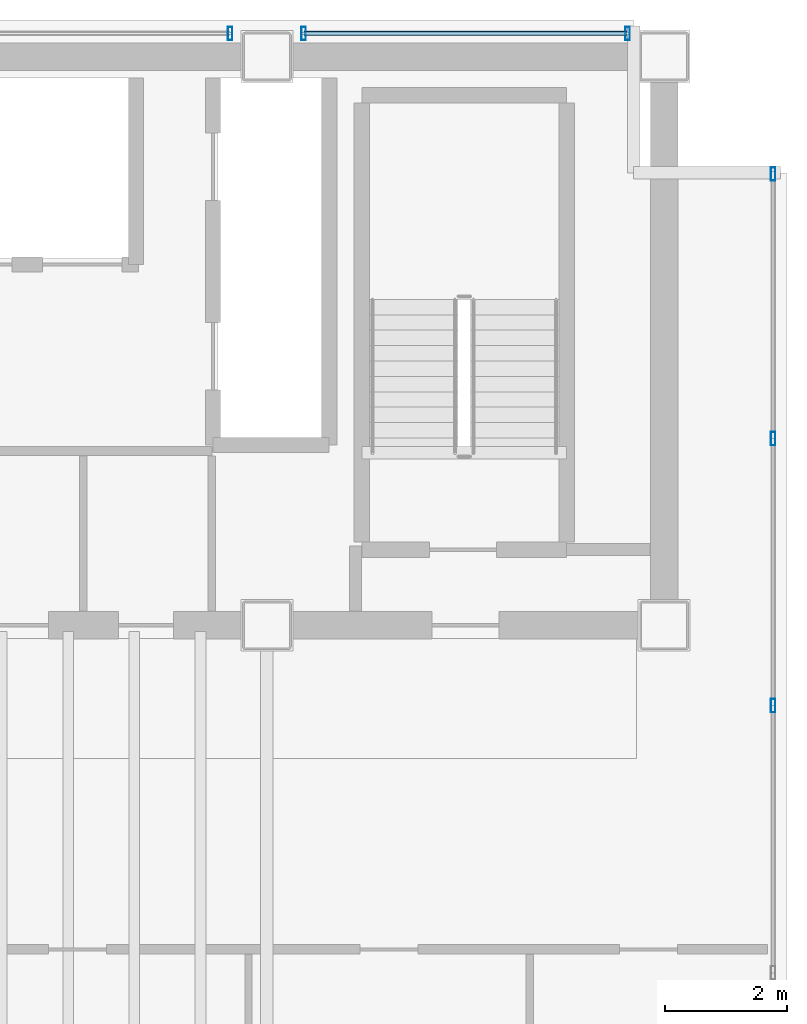
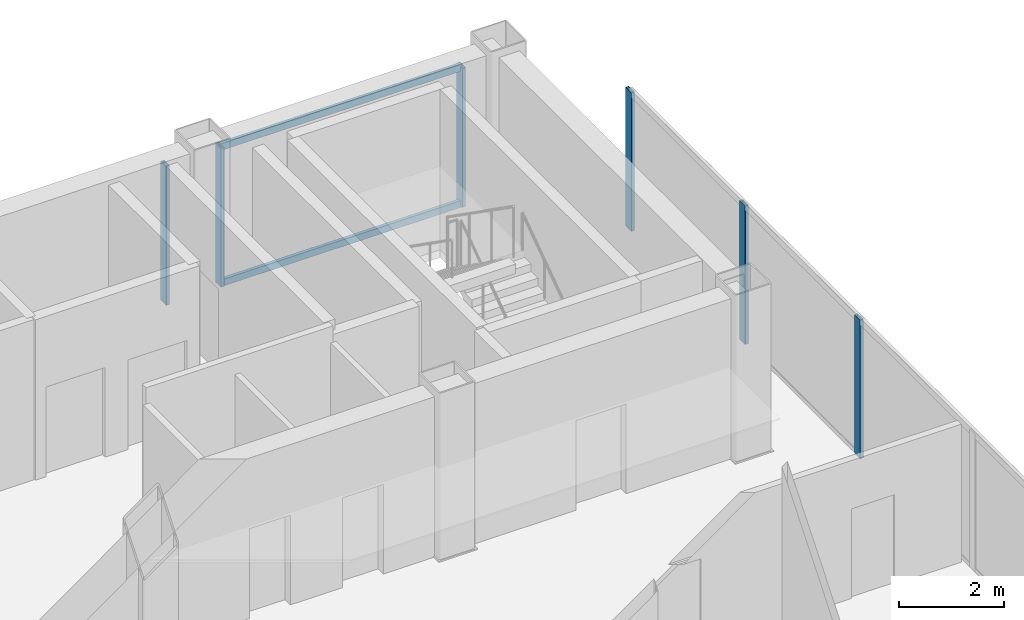
# One storey, part 12 of 17: 8 members, 3 elements without a shape of their own.
"""IFC4 building model written with IfcOpenShell, lengths in metres."""

from ifc_helpers import new_model, si_unit, direction, frame, origin, origin_2d, place, context, subcontext, project, spatial, hollow_rectangle, extrude, material, material_profile, profile_set, type_object, element, aggregate, save


model = new_model("IFC4")

# Units and contexts
model_context = context("Model", 3, precision=1e-05, world=origin(), true_north=direction((0.0, 1.0)))
body_context = subcontext(model_context, "Body", "Model", "MODEL_VIEW")
ifc_project = project(units=[si_unit("LENGTHUNIT", "METRE"), si_unit("AREAUNIT", "SQUARE_METRE"), si_unit("VOLUMEUNIT", "CUBIC_METRE"), si_unit("PLANEANGLEUNIT", "RADIAN"), si_unit("MASSUNIT", "GRAM", prefix="KILO")], contexts=[model_context])

# Site, building, storey
site_placement = place(None, origin())
site = spatial("IfcSite", under=ifc_project, at=site_placement, CompositionType="ELEMENT")
building_placement = place(site_placement, origin())
building = spatial("IfcBuilding", under=site, at=building_placement, Name="Noeulbin Bourse Tower", CompositionType="ELEMENT")
storey_placement = place(building_placement, frame((0.0, 0.0, 242.300048828125)))
storey = spatial("IfcBuildingStorey", under=building, at=storey_placement, Name="L60", CompositionType="ELEMENT", Elevation=242.300048828125)

# Curtain wall, member
ifc_material_1 = material(Name="High-Selectivity Low-Iron Glazing", Category="glass")
curtain_wall_type = type_object("IfcCurtainWallType", Name="CW-SYS-4", PredefinedType="NOTDEFINED", material=ifc_material_1)
curtain_wall_1_placement = place(storey_placement, origin())
curtain_wall_1 = element("IfcCurtainWall", 1, at=curtain_wall_1_placement, inside=storey, type_object=curtain_wall_type, Name="Unitised Curtain Wall CW-L60-N-S5", PredefinedType="NOTDEFINED")
ifc_material_2 = material(Name="Anodised Aluminium 6063-T6", Category="aluminium")
ifc_material_profile_1 = material_profile(ifc_material_2, hollow_rectangle(XDim=0.074951171875, YDim=0.219970703125, WallThickness=0.0048828125, InnerFilletRadius=0.00244140625, OuterFilletRadius=0.0048828125, at=origin_2d()), Name="ALU-MULL-75x220x5", Category="LoadBearing")
ifc_profile_set_1 = profile_set([ifc_material_profile_1], Name="Anodised Aluminium 6063-T6")
member_type_1 = type_object("IfcMemberType", Name="CW-SYS-4-MUL", PredefinedType="MULLION", material=ifc_profile_set_1)
member_1_placement = place(storey_placement, frame((36.89990234375, 38.679931640625, -0.02001953125), z_axis=(0.0, 0.0, 1.0), x_axis=(1.0, 0.0, 0.0)))
member_1 = element("IfcMember", 2, at=member_1_placement, type_object=member_type_1, Name="Curtain Wall Mullion CW-L60-N-S5-M01", PredefinedType="MULLION", context=body_context, shape_type="SweptSolid", body=[
    extrude(hollow_rectangle(XDim=0.074951171875, YDim=0.219970703125, WallThickness=0.0048828125, InnerFilletRadius=0.00244140625, OuterFilletRadius=0.0048828125, at=origin_2d()), origin(), (0.0, 0.0, 1.0), 3.219970703125),
])
aggregate(curtain_wall_1, [member_1])

# Curtain wall, members
curtain_wall_2_placement = place(storey_placement, origin())
curtain_wall_2 = element("IfcCurtainWall", 3, at=curtain_wall_2_placement, inside=storey, type_object=curtain_wall_type, Name="Unitised Curtain Wall CW-L60-N-S6", PredefinedType="NOTDEFINED")
member_2_placement = place(storey_placement, frame((38.10009765625, 38.679931640625, -0.02001953125), z_axis=(0.0, 0.0, 1.0), x_axis=(1.0, 0.0, 0.0)))
member_2 = element("IfcMember", 4, at=member_2_placement, type_object=member_type_1, Name="Curtain Wall Mullion CW-L60-N-S6-M00", PredefinedType="MULLION", context=body_context, shape_type="SweptSolid", body=[
    extrude(hollow_rectangle(XDim=0.074951171875, YDim=0.219970703125, WallThickness=0.0048828125, InnerFilletRadius=0.00244140625, OuterFilletRadius=0.0048828125, at=origin_2d()), origin(), (0.0, 0.0, 1.0), 3.219970703125),
])
member_3_placement = place(storey_placement, frame((43.39990234375, 38.679931640625, -0.02001953125), z_axis=(0.0, 0.0, 1.0), x_axis=(1.0, 0.0, 0.0)))
member_3 = element("IfcMember", 5, at=member_3_placement, type_object=member_type_1, Name="Curtain Wall Mullion CW-L60-N-S6-M01", PredefinedType="MULLION", context=body_context, shape_type="SweptSolid", body=[
    extrude(hollow_rectangle(XDim=0.074951171875, YDim=0.219970703125, WallThickness=0.0048828125, InnerFilletRadius=0.00244140625, OuterFilletRadius=0.0048828125, at=origin_2d()), origin(), (0.0, 0.0, 1.0), 3.219970703125),
])

curtain_wall_3_placement = place(storey_placement, origin())
curtain_wall_3 = element("IfcCurtainWall", 6, at=curtain_wall_3_placement, inside=storey, type_object=curtain_wall_type, Name="Unitised Curtain Wall CW-L60-E", PredefinedType="NOTDEFINED")
member_4_placement = place(storey_placement, frame((45.780029296875, 27.68408203125, -0.02001953125), z_axis=(0.0, 0.0, 1.0), x_axis=(1.0, 0.0, 0.0)))
member_4 = element("IfcMember", 7, at=member_4_placement, type_object=member_type_1, Name="Curtain Wall Mullion CW-L60-E-M03", PredefinedType="MULLION", context=body_context, shape_type="SweptSolid", body=[
    extrude(hollow_rectangle(XDim=0.074951171875, YDim=0.219970703125, WallThickness=0.0048828125, InnerFilletRadius=0.00244140625, OuterFilletRadius=0.0048828125, at=origin_2d()), origin(), (0.0, 0.0, 1.0), 3.219970703125),
])
member_5_placement = place(storey_placement, frame((45.780029296875, 32.052001953125, -0.02001953125), z_axis=(0.0, 0.0, 1.0), x_axis=(1.0, 0.0, 0.0)))
member_5 = element("IfcMember", 8, at=member_5_placement, type_object=member_type_1, Name="Curtain Wall Mullion CW-L60-E-M04", PredefinedType="MULLION", context=body_context, shape_type="SweptSolid", body=[
    extrude(hollow_rectangle(XDim=0.074951171875, YDim=0.219970703125, WallThickness=0.0048828125, InnerFilletRadius=0.00244140625, OuterFilletRadius=0.0048828125, at=origin_2d()), origin(), (0.0, 0.0, 1.0), 3.219970703125),
])
member_6_placement = place(storey_placement, frame((45.780029296875, 36.3798828125, -0.02001953125), z_axis=(0.0, 0.0, 1.0), x_axis=(1.0, 0.0, 0.0)))
member_6 = element("IfcMember", 9, at=member_6_placement, type_object=member_type_1, Name="Curtain Wall Mullion CW-L60-E-M05", PredefinedType="MULLION", context=body_context, shape_type="SweptSolid", body=[
    extrude(hollow_rectangle(XDim=0.074951171875, YDim=0.219970703125, WallThickness=0.0048828125, InnerFilletRadius=0.00244140625, OuterFilletRadius=0.0048828125, at=origin_2d()), origin(), (0.0, 0.0, 1.0), 3.219970703125),
])
aggregate(curtain_wall_3, [member_4, member_5, member_6])

# Member
ifc_material_profile_2 = material_profile(ifc_material_2, hollow_rectangle(XDim=0.074951171875, YDim=0.159912109375, WallThickness=0.0048828125, InnerFilletRadius=0.00244140625, OuterFilletRadius=0.0048828125, at=origin_2d()), Name="ALU-TRAN-75x160x5", Category="LoadBearing")
ifc_profile_set_2 = profile_set([ifc_material_profile_2], Name="Anodised Aluminium 6063-T6")
member_type_2 = type_object("IfcMemberType", Name="CW-SYS-4-TRN", PredefinedType="USERDEFINED", material=ifc_profile_set_2)
member_7_placement = place(storey_placement, frame((38.110107421875, 38.679931640625, 0.010009765625), z_axis=(1.0, 0.0, 0.0), x_axis=(0.0, 1.0, 0.0)))
member_7 = element("IfcMember", 10, at=member_7_placement, type_object=member_type_2, Name="Curtain Wall Transom CW-L60-N-S6-T00", ObjectType="TRANSOM", PredefinedType="USERDEFINED", context=body_context, shape_type="SweptSolid", body=[
    extrude(hollow_rectangle(XDim=0.074951171875, YDim=0.159912109375, WallThickness=0.0048828125, InnerFilletRadius=0.00244140625, OuterFilletRadius=0.0048828125, at=origin_2d()), origin(), (0.0, 0.0, 1.0), 5.27978515625),
])

member_8_placement = place(storey_placement, frame((38.110107421875, 38.679931640625, 3.169921875), z_axis=(1.0, 0.0, 0.0), x_axis=(0.0, 1.0, 0.0)))
member_8 = element("IfcMember", 11, at=member_8_placement, type_object=member_type_2, Name="Curtain Wall Transom CW-L60-N-S6-T01", ObjectType="TRANSOM", PredefinedType="USERDEFINED", context=body_context, shape_type="SweptSolid", body=[
    extrude(hollow_rectangle(XDim=0.074951171875, YDim=0.159912109375, WallThickness=0.0048828125, InnerFilletRadius=0.00244140625, OuterFilletRadius=0.0048828125, at=origin_2d()), origin(), (0.0, 0.0, 1.0), 5.27978515625),
])

aggregate(curtain_wall_2, [member_2, member_3, member_7, member_8])

save(model, "model.ifc")
